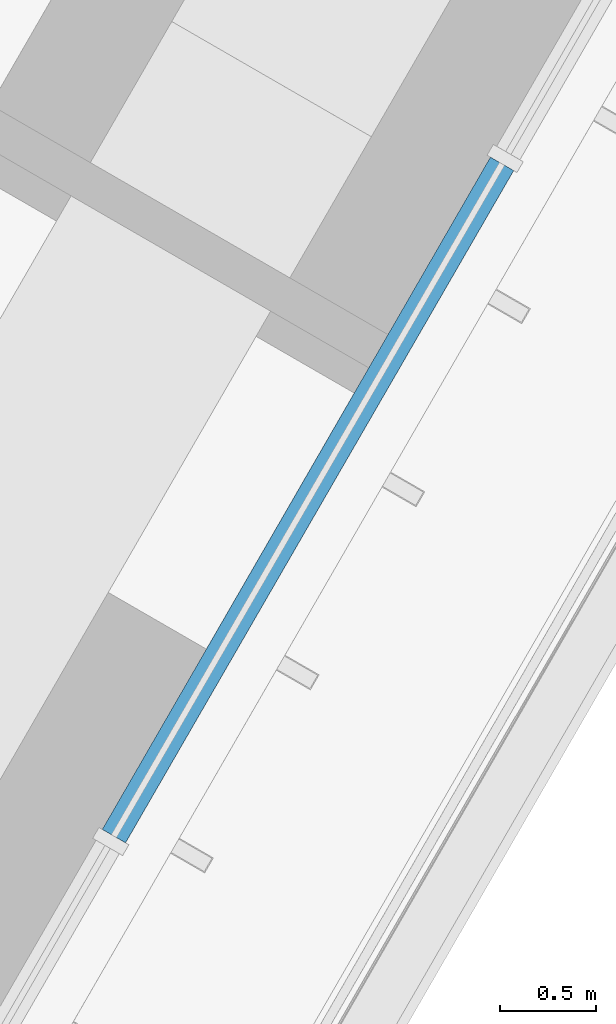
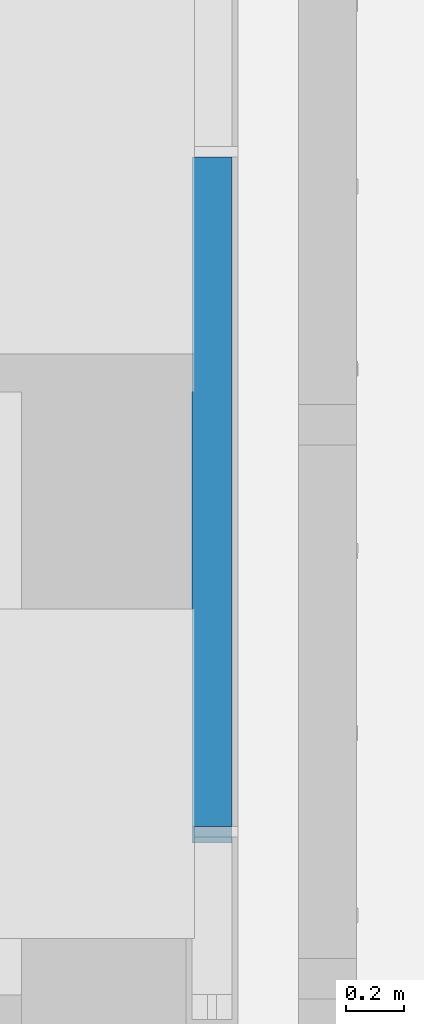
# One storey, part 102 of 238: 1 member, 1 element without a shape of its own.
"""IFC4 building model written with IfcOpenShell, lengths in metres."""

from ifc_helpers import new_model, si_unit, direction, frame, origin, origin_2d, place, context, subcontext, project, spatial, rectangle, extrude, material, material_profile, profile_set, type_object, element, aggregate, save


model = new_model("IFC4")

# Units and contexts
model_context = context("Model", 3, precision=1e-05, world=origin(), true_north=direction((0.0, 1.0)))
body_context = subcontext(model_context, "Body", "Model", "MODEL_VIEW")
ifc_project = project(units=[si_unit("LENGTHUNIT", "METRE"), si_unit("AREAUNIT", "SQUARE_METRE"), si_unit("VOLUMEUNIT", "CUBIC_METRE"), si_unit("PLANEANGLEUNIT", "RADIAN"), si_unit("MASSUNIT", "GRAM", prefix="KILO")], contexts=[model_context])

# Site, building, storey
site_placement = place(None, origin())
site = spatial("IfcSite", under=ifc_project, at=site_placement, CompositionType="ELEMENT")
building_placement = place(site_placement, origin())
building = spatial("IfcBuilding", under=site, at=building_placement, Name="Sandreach Pilgrim Tower", CompositionType="ELEMENT")
storey_placement = place(building_placement, frame((0.0, 0.0, 96.800048828125)))
storey = spatial("IfcBuildingStorey", under=building, at=storey_placement, Name="L23", CompositionType="ELEMENT", Elevation=96.800048828125)

# Curtain wall, member
ifc_material_1 = material(Name="Aluminium framed curtain wall", Category="aluminium")
curtain_wall_type = type_object("IfcCurtainWallType", Name="Hotel tower curtain wall", PredefinedType="NOTDEFINED", material=ifc_material_1)
curtain_wall_placement = place(storey_placement, origin())
curtain_wall = element("IfcCurtainWall", 1, at=curtain_wall_placement, inside=storey, type_object=curtain_wall_type, Name="CW-2 L23 SE", PredefinedType="NOTDEFINED")
ifc_material_2 = material(Name="Aluminium extrusion", Category="aluminium")
ifc_material_profile = material_profile(ifc_material_2, rectangle(XDim=0.139892578125, YDim=0.070068359375, at=origin_2d()), Name="CW-2T 140X70")
ifc_profile_set = profile_set([ifc_material_profile], Name="Aluminium extrusion")
member_type = type_object("IfcMemberType", Name="CW-2 transom", PredefinedType="USERDEFINED", material=ifc_profile_set)
member_placement = place(storey_placement, frame((22.544189453125, -5.93994140625, 3.60498046875), z_axis=(-0.499997818338, -0.866026663364, 0.0), x_axis=(0.866026663364, -0.499997818338, 0.0)))
member = element("IfcMember", 2, at=member_placement, type_object=member_type, Name="CW-2 head transom 4", ObjectType="TRANSOM", PredefinedType="USERDEFINED", context=body_context, shape_type="SweptSolid", body=[
    extrude(rectangle(XDim=0.139892578125, YDim=0.070068359375, at=origin_2d()), origin(), (0.0, 0.0, 1.0), 4.0419921875),
])
aggregate(curtain_wall, [member])

save(model, "model.ifc")
